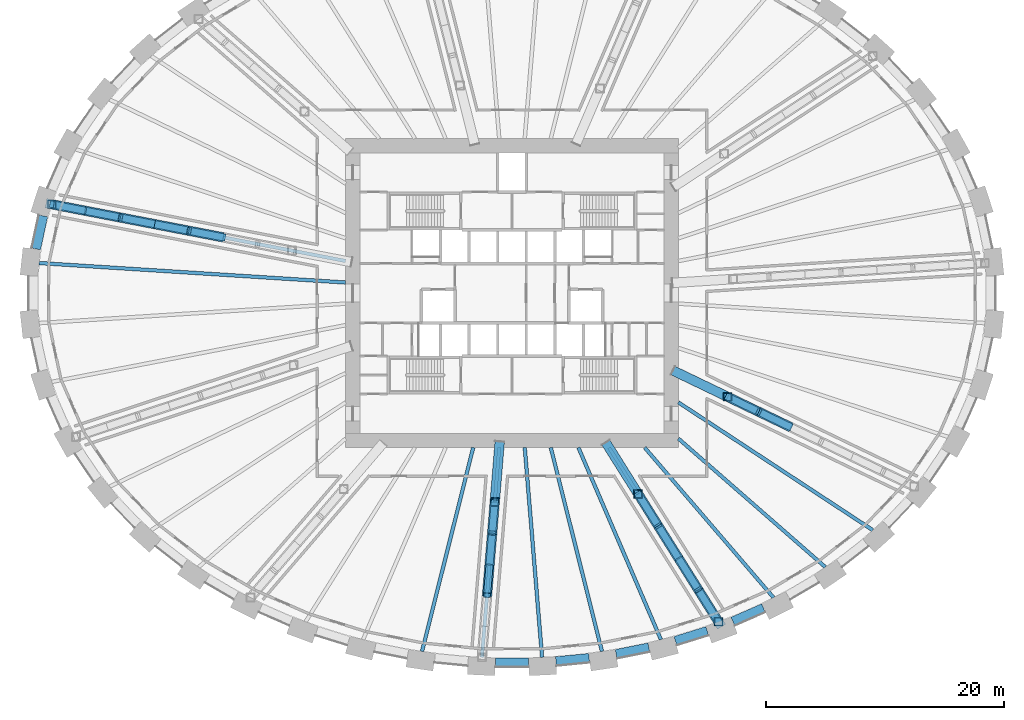
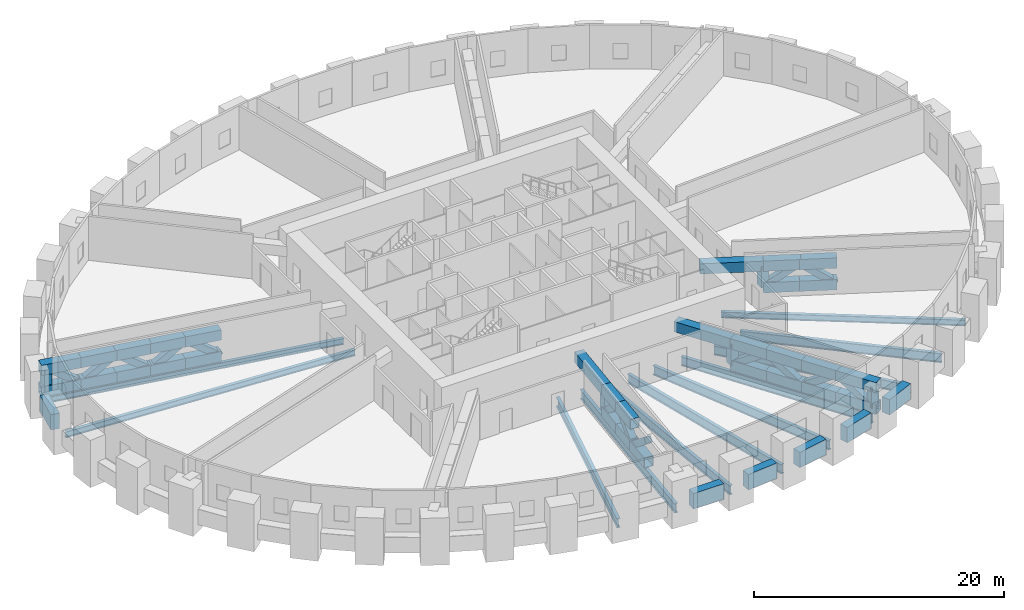
# One storey, part 3 of 14: 49 members, 17 beams.
"""IFC4 building model written with IfcOpenShell, lengths in metres."""

from ifc_helpers import new_model, si_unit, direction, frame, origin, origin_2d, place, context, subcontext, project, spatial, rectangle, hollow_rectangle, i_section, extrude, source, transform, mapped, material, material_profile, profile_set, type_object, element, save


model = new_model("IFC4")

# Units and contexts
model_context = context("Model", 3, precision=1e-05, world=origin(), true_north=direction((0.0, 1.0)))
body_context = subcontext(model_context, "Body", "Model", "MODEL_VIEW")
ifc_project = project(units=[si_unit("LENGTHUNIT", "METRE"), si_unit("AREAUNIT", "SQUARE_METRE"), si_unit("VOLUMEUNIT", "CUBIC_METRE"), si_unit("PLANEANGLEUNIT", "RADIAN"), si_unit("MASSUNIT", "GRAM", prefix="KILO")], contexts=[model_context])

# Site, building, storey
site_placement = place(None, origin())
site = spatial("IfcSite", under=ifc_project, at=site_placement, CompositionType="ELEMENT")
building_placement = place(site_placement, origin())
building = spatial("IfcBuilding", under=site, at=building_placement, Name="Embergate Tower", CompositionType="ELEMENT")
storey_placement = place(building_placement, frame((0.0, 0.0, 101.0)))
storey = spatial("IfcBuildingStorey", under=building, at=storey_placement, Name="L21", CompositionType="ELEMENT", Elevation=101.0)

# Beams
ifc_material_1 = material(Name="Concrete C70", Category="concrete")
ifc_material_profile_1 = material_profile(ifc_material_1, rectangle(XDim=0.75, YDim=1.5, at=origin_2d()), Name="RC 750x1500")
ifc_profile_set_1 = profile_set([ifc_material_profile_1], Name="Concrete C70")
beam_type_1 = type_object("IfcBeamType", Name="Spandrel beam RC 750x1500 C70", PredefinedType="BEAM", material=ifc_profile_set_1)
shared_shape_1 = source(origin(), body_context, "Body", "SweptSolid", [
    extrude(rectangle(XDim=0.75, YDim=1.5, at=origin_2d()), origin(), (0.0, 0.0, 1.0), 2.845703125),
])
beam_1_placement = place(storey_placement, frame((-39.43408203125, 6.492919921875, 0.0), z_axis=(-0.210448858384, -0.977604868035, 0.0), x_axis=(0.977604868035, -0.210448858384, 0.0)))
element("IfcBeam", 1, at=beam_1_placement, inside=storey, type_object=beam_type_1, Name="SPN-L21-20", PredefinedType="BEAM", context=body_context, shape_type="MappedRepresentation", body=[
    mapped(shared_shape_1, transform((0.0, 0.0, 0.0))),
])
shared_shape_2 = source(origin(), body_context, "Body", "SweptSolid", [
    extrude(rectangle(XDim=0.75, YDim=1.5, at=origin_2d()), origin(), (0.0, 0.0, 1.0), 2.81005859375),
])
beam_2_placement = place(storey_placement, frame((18.577880859375, -27.614990234375, 0.0), z_axis=(0.916061598474, 0.401037589013, 0.0), x_axis=(-0.401037589013, 0.916061598474, 0.0)))
element("IfcBeam", 2, at=beam_2_placement, inside=storey, type_object=beam_type_1, Name="SPN-L21-36", PredefinedType="BEAM", context=body_context, shape_type="MappedRepresentation", body=[
    mapped(shared_shape_2, transform((0.0, 0.0, 0.0))),
])
shared_shape_3 = source(origin(), body_context, "Body", "SweptSolid", [
    extrude(rectangle(XDim=0.75, YDim=1.5, at=origin_2d()), origin(), (0.0, 0.0, 1.0), 2.806884765625),
])
beam_3_placement = place(storey_placement, frame((13.742919921875, -29.251953125, 0.0), z_axis=(0.954841423743, 0.297115895746, 0.0), x_axis=(-0.297115895746, 0.954841423743, 0.0)))
element("IfcBeam", 3, at=beam_3_placement, inside=storey, type_object=beam_type_1, Name="SPN-L21-35", PredefinedType="BEAM", context=body_context, shape_type="MappedRepresentation", body=[
    mapped(shared_shape_3, transform((0.0, 0.0, 0.0))),
])
shared_shape_4 = source(origin(), body_context, "Body", "SweptSolid", [
    extrude(rectangle(XDim=0.75, YDim=1.5, at=origin_2d()), origin(), (0.0, 0.0, 1.0), 2.802734375),
])
beam_4_placement = place(storey_placement, frame((8.761962890625, -30.35302734375, 0.0), z_axis=(0.980483396855, 0.19660190358, 0.0), x_axis=(-0.19660190358, 0.980483396855, 0.0)))
element("IfcBeam", 4, at=beam_4_placement, inside=storey, type_object=beam_type_1, Name="SPN-L21-34", PredefinedType="BEAM", context=body_context, shape_type="MappedRepresentation", body=[
    mapped(shared_shape_4, transform((0.0, 0.0, 0.0))),
])
shared_shape_5 = source(origin(), body_context, "Body", "SweptSolid", [
    extrude(rectangle(XDim=0.75, YDim=1.5, at=origin_2d()), origin(), (0.0, 0.0, 1.0), 2.801513671875),
])
beam_5_placement = place(storey_placement, frame((3.698974609375, -30.966064453125, 0.0), z_axis=(0.995199776521, 0.097864216203, 0.0), x_axis=(-0.097864216203, 0.995199776521, 0.0)))
element("IfcBeam", 5, at=beam_5_placement, inside=storey, type_object=beam_type_1, Name="SPN-L21-33", PredefinedType="BEAM", context=body_context, shape_type="MappedRepresentation", body=[
    mapped(shared_shape_5, transform((0.0, 0.0, 0.0))),
])
shared_shape_6 = source(origin(), body_context, "Body", "SweptSolid", [
    extrude(rectangle(XDim=0.75, YDim=1.5, at=origin_2d()), origin(), (0.0, 0.0, 1.0), 2.8017578125),
])
beam_6_placement = place(storey_placement, frame((-1.40087890625, -31.0791015625, 0.0), z_axis=(1.0, 0.0, 0.0), x_axis=(0.0, 1.0, 0.0)))
element("IfcBeam", 6, at=beam_6_placement, inside=storey, type_object=beam_type_1, Name="SPN-L21-32", PredefinedType="BEAM", context=body_context, shape_type="MappedRepresentation", body=[
    mapped(shared_shape_6, transform((0.0, 0.0, 0.0))),
])
ifc_material_2 = material(Name="Steel Q355B", Category="steel")
ifc_material_profile_2 = material_profile(ifc_material_2, i_section(OverallWidth=0.300048828125, OverallDepth=0.587890625, WebThickness=0.011962890625, FlangeThickness=0.02001953125, FilletRadius=0.012939453125, at=origin_2d()), Name="HM 588x300x12x20")
ifc_profile_set_2 = profile_set([ifc_material_profile_2], Name="Steel Q355 grade B")
beam_type_2 = type_object("IfcBeamType", Name="Plant girder HM 588x300x12x20", PredefinedType="BEAM", material=ifc_profile_set_2)
shared_shape_7 = source(origin(), body_context, "Body", "SweptSolid", [
    extrude(i_section(OverallWidth=0.300048828125, OverallDepth=0.587890625, WebThickness=0.011962890625, FlangeThickness=0.02001953125, FilletRadius=0.012939453125, at=origin_2d()), origin(), (0.0, 0.0, 1.0), 25.8330078125),
])
beam_7_placement = place(storey_placement, frame((-39.781005859375, 2.527099609375, -0.593994140625), z_axis=(0.997987282957, -0.063414375786, 0.0), x_axis=(0.063414375786, 0.997987282957, 0.0)))
element("IfcBeam", 7, at=beam_7_placement, inside=storey, type_object=beam_type_2, Name="GIR-L21-21", PredefinedType="BEAM", context=body_context, shape_type="MappedRepresentation", body=[
    mapped(shared_shape_7, transform((0.0, 0.0, 0.0))),
])
shared_shape_8 = source(origin(), body_context, "Body", "SweptSolid", [
    extrude(i_section(OverallWidth=0.300048828125, OverallDepth=0.587890625, WebThickness=0.011962890625, FlangeThickness=0.02001953125, FilletRadius=0.012939453125, at=origin_2d()), origin(), (0.0, 0.0, 1.0), 25.173583984375),
])
beam_8_placement = place(storey_placement, frame((-38.718017578125, 7.468994140625, -0.593994140625), z_axis=(0.981898721565, -0.189406706822, 0.0), x_axis=(0.189406706822, 0.981898721565, 0.0)))
element("IfcBeam", 8, at=beam_8_placement, inside=storey, type_object=beam_type_2, Name="GIR-L21-20", PredefinedType="BEAM", context=body_context, shape_type="MappedRepresentation", body=[
    mapped(shared_shape_8, transform((0.0, 0.0, 0.0))),
])
shared_shape_9 = source(origin(), body_context, "Body", "SweptSolid", [
    extrude(i_section(OverallWidth=0.300048828125, OverallDepth=0.587890625, WebThickness=0.011962890625, FlangeThickness=0.02001953125, FilletRadius=0.012939453125, at=origin_2d()), origin(), (0.0, 0.0, 1.0), 19.56591796875),
])
beam_9_placement = place(storey_placement, frame((30.35205078125, -19.943115234375, -0.593994140625), z_axis=(-0.835740492774, 0.549124602197, 0.0), x_axis=(-0.549124602197, -0.835740492774, 0.0)))
element("IfcBeam", 9, at=beam_9_placement, inside=storey, type_object=beam_type_2, Name="GIR-L21-39", PredefinedType="BEAM", context=body_context, shape_type="MappedRepresentation", body=[
    mapped(shared_shape_9, transform((0.0, 0.0, 0.0))),
])
ifc_material_profile_3 = material_profile(ifc_material_2, i_section(OverallWidth=0.300048828125, OverallDepth=0.89990234375, WebThickness=0.01611328125, FlangeThickness=0.028076171875, FilletRadius=0.028076171875, at=origin_2d()), Name="HN 900x300x16x28")
ifc_profile_set_3 = profile_set([ifc_material_profile_3], Name="Steel Q355 grade B")
beam_type_3 = type_object("IfcBeamType", Name="Plant girder HN 900x300x16x28", PredefinedType="BEAM", material=ifc_profile_set_3)
shared_shape_10 = source(origin(), body_context, "Body", "SweptSolid", [
    extrude(i_section(OverallWidth=0.300048828125, OverallDepth=0.89990234375, WebThickness=0.01611328125, FlangeThickness=0.028076171875, FilletRadius=0.028076171875, at=origin_2d()), origin(), (0.0, 0.0, 1.0), 16.42529296875),
])
beam_10_placement = place(storey_placement, frame((26.364013671875, -23.055908203125, -0.75), z_axis=(-0.752743328411, 0.658314120714, 0.0), x_axis=(-0.658314120714, -0.752743328411, 0.0)))
element("IfcBeam", 10, at=beam_10_placement, inside=storey, type_object=beam_type_3, Name="GIR-L21-38", PredefinedType="BEAM", context=body_context, shape_type="MappedRepresentation", body=[
    mapped(shared_shape_10, transform((0.0, 0.0, 0.0))),
])
shared_shape_11 = source(origin(), body_context, "Body", "SweptSolid", [
    extrude(i_section(OverallWidth=0.300048828125, OverallDepth=0.89990234375, WebThickness=0.01611328125, FlangeThickness=0.028076171875, FilletRadius=0.028076171875, at=origin_2d()), origin(), (0.0, 0.0, 1.0), 16.634521484375),
])
beam_11_placement = place(storey_placement, frame((22.0009765625, -25.6201171875, -0.75), z_axis=(-0.6514728043, 0.758671987922, 0.0), x_axis=(-0.758671987922, -0.6514728043, 0.0)))
element("IfcBeam", 11, at=beam_11_placement, inside=storey, type_object=beam_type_3, Name="GIR-L21-37", PredefinedType="BEAM", context=body_context, shape_type="MappedRepresentation", body=[
    mapped(shared_shape_11, transform((0.0, 0.0, 0.0))),
])
shared_shape_12 = source(origin(), body_context, "Body", "SweptSolid", [
    extrude(i_section(OverallWidth=0.300048828125, OverallDepth=0.89990234375, WebThickness=0.01611328125, FlangeThickness=0.028076171875, FilletRadius=0.028076171875, at=origin_2d()), origin(), (0.0, 0.0, 1.0), 17.29833984375),
])
beam_12_placement = place(storey_placement, frame((17.364013671875, -27.64892578125, -0.75), z_axis=(-0.53184228431, 0.84684342391, 0.0), x_axis=(-0.84684342391, -0.53184228431, 0.0)))
element("IfcBeam", 12, at=beam_12_placement, inside=storey, type_object=beam_type_3, Name="GIR-L21-36", PredefinedType="BEAM", context=body_context, shape_type="MappedRepresentation", body=[
    mapped(shared_shape_12, transform((0.0, 0.0, 0.0))),
])
shared_shape_13 = source(origin(), body_context, "Body", "SweptSolid", [
    extrude(i_section(OverallWidth=0.300048828125, OverallDepth=0.89990234375, WebThickness=0.01611328125, FlangeThickness=0.028076171875, FilletRadius=0.028076171875, at=origin_2d()), origin(), (0.0, 0.0, 1.0), 17.58203125),
])
beam_13_placement = place(storey_placement, frame((12.531005859375, -29.153076171875, -0.75), z_axis=(-0.394897783559, 0.918725062541, 0.0), x_axis=(-0.918725062541, -0.394897783559, 0.0)))
element("IfcBeam", 13, at=beam_13_placement, inside=storey, type_object=beam_type_3, Name="GIR-L21-35", PredefinedType="BEAM", context=body_context, shape_type="MappedRepresentation", body=[
    mapped(shared_shape_13, transform((0.0, 0.0, 0.0))),
])
shared_shape_14 = source(origin(), body_context, "Body", "SweptSolid", [
    extrude(i_section(OverallWidth=0.300048828125, OverallDepth=0.89990234375, WebThickness=0.01611328125, FlangeThickness=0.028076171875, FilletRadius=0.028076171875, at=origin_2d()), origin(), (0.0, 0.0, 1.0), 17.68115234375),
])
for number, where, z_axis, x_axis, name in (
    (14, (-7.569091796875, -30.14892578125, -0.75), (0.243490697854, 0.969903232317, 0.0), (-0.969903232317, 0.243490697854, 0.0), "GIR-L21-31"),
    (15, (7.569091796875, -30.14892578125, -0.75), (-0.243490697854, 0.969903232317, 0.0), (-0.969903232317, -0.243490697854, 0.0), "GIR-L21-34"),
):
    element("IfcBeam", number, at=place(storey_placement, frame(where, z_axis=z_axis, x_axis=x_axis)), inside=storey, type_object=beam_type_3, Name=name, PredefinedType="BEAM", context=body_context, shape_type="MappedRepresentation", body=[
        mapped(shared_shape_14, transform((0.0, 0.0, 0.0))),
    ])
shared_shape_15 = source(origin(), body_context, "Body", "SweptSolid", [
    extrude(i_section(OverallWidth=0.300048828125, OverallDepth=0.89990234375, WebThickness=0.01611328125, FlangeThickness=0.028076171875, FilletRadius=0.028076171875, at=origin_2d()), origin(), (0.0, 0.0, 1.0), 17.7041015625),
])
for number, where, z_axis, x_axis, name in (
    (16, (-2.531005859375, -30.64404296875, -0.75), (0.082299081422, 0.99660767667, 0.0), (-0.99660767667, 0.082299081422, 0.0), "GIR-L21-32"),
    (17, (2.531005859375, -30.64404296875, -0.75), (-0.082299081422, 0.99660767667, 0.0), (-0.99660767667, -0.082299081422, 0.0), "GIR-L21-33"),
):
    element("IfcBeam", number, at=place(storey_placement, frame(where, z_axis=z_axis, x_axis=x_axis)), inside=storey, type_object=beam_type_3, Name=name, PredefinedType="BEAM", context=body_context, shape_type="MappedRepresentation", body=[
        mapped(shared_shape_15, transform((0.0, 0.0, 0.0))),
    ])

# Members
ifc_material_profile_4 = material_profile(ifc_material_2, hollow_rectangle(XDim=0.699951171875, YDim=0.699951171875, WallThickness=0.031982421875, at=origin_2d()), Name="BOX 700x700x32")
ifc_profile_set_4 = profile_set([ifc_material_profile_4], Name="Steel Q355 grade B")
member_type_1 = type_object("IfcMemberType", Name="Outrigger post BOX 700x700x32", PredefinedType="POST", material=ifc_profile_set_4)
shared_shape_16 = source(origin(), body_context, "Body", "SweptSolid", [
    extrude(hollow_rectangle(XDim=0.699951171875, YDim=0.699951171875, WallThickness=0.031982421875, at=origin_2d()), origin(), (0.0, 0.0, 1.0), 2.110107421875),
])
for number, where, z_axis, x_axis, name in (
    (18, (-38.718017578125, 7.468994140625, 0.5), (0.0, 0.0, 1.0), (1.0, 0.0, 0.0), "OUT-L21-20-PO07"),
    (19, (-1.452880859375, -17.583984375, 0.5), (0.0, 0.0, 1.0), (1.0, 0.0, 0.0), "OUT-L21-32-PO00"),
    (20, (10.610107421875, -16.89501953125, 0.5), (0.0, 0.0, 1.0), (1.0, 0.0, 0.0), "OUT-L21-36-PO00"),
    (21, (17.364013671875, -27.64892578125, 0.5), (0.0, 0.0, 1.0), (1.0, 0.0, 0.0), "OUT-L21-36-PO04"),
    (22, (18.14501953125, -8.72900390625, 0.5), (0.0, 0.0, 1.0), (1.0, 0.0, 0.0), "OUT-L21-40-PO00"),
):
    element("IfcMember", number, at=place(storey_placement, frame(where, z_axis=z_axis, x_axis=x_axis)), inside=storey, type_object=member_type_1, Name=name, PredefinedType="POST", context=body_context, shape_type="MappedRepresentation", body=[
        mapped(shared_shape_16, transform((0.0, 0.0, 0.0))),
    ])
ifc_material_profile_5 = material_profile(ifc_material_2, hollow_rectangle(XDim=0.800048828125, YDim=1.0, WallThickness=0.044921875, at=origin_2d()), Name="BOX 1000x800x45")
ifc_profile_set_5 = profile_set([ifc_material_profile_5], Name="Steel Q355 grade B")
member_type_2 = type_object("IfcMemberType", Name="Outrigger chord BOX 1000x800x45", PredefinedType="CHORD", material=ifc_profile_set_5)
shared_shape_17 = source(origin(), body_context, "Body", "SweptSolid", [
    extrude(hollow_rectangle(XDim=0.800048828125, YDim=1.0, WallThickness=0.044921875, at=origin_2d()), origin(), (0.0, 0.0, 1.0), 5.199951171875),
])
for number, where, z_axis, x_axis, name in (
    (23, (7.89794921875, -12.576904296875, 2.610107421875), (0.531959986064, -0.846769492381, 0.0), (0.846769492381, 0.531959986064, 0.0), "OUT-L21-36-TC00"),
    (24, (13.549072265625, -6.51806640625, 2.610107421875), (0.901176956459, -0.433451373452, 0.0), (0.433451373452, 0.901176956459, 0.0), "OUT-L21-40-TC00"),
):
    element("IfcMember", number, at=place(storey_placement, frame(where, z_axis=z_axis, x_axis=x_axis)), inside=storey, type_object=member_type_2, Name=name, PredefinedType="CHORD", context=body_context, shape_type="MappedRepresentation", body=[
        mapped(shared_shape_17, transform((0.0, 0.0, 0.0))),
    ])
shared_shape_18 = source(origin(), body_context, "Body", "SweptSolid", [
    extrude(hollow_rectangle(XDim=0.800048828125, YDim=1.0, WallThickness=0.044921875, at=origin_2d()), origin(), (0.0, 0.0, 1.0), 5.19970703125),
])
member_1_placement = place(storey_placement, frame((-1.032958984375, -12.501953125, 2.610107421875), z_axis=(-0.082307174483, -0.996607008318, 0.0), x_axis=(0.996607008318, -0.082307174483, 0.0)))
element("IfcMember", 25, at=member_1_placement, inside=storey, type_object=member_type_2, Name="OUT-L21-32-TC00", PredefinedType="CHORD", context=body_context, shape_type="MappedRepresentation", body=[
    mapped(shared_shape_18, transform((0.0, 0.0, 0.0))),
])
shared_shape_19 = source(origin(), body_context, "Body", "SweptSolid", [
    extrude(hollow_rectangle(XDim=0.800048828125, YDim=1.0, WallThickness=0.044921875, at=origin_2d()), origin(), (0.0, 0.0, 1.0), 3.0390625),
])
for number, where, z_axis, x_axis, name in (
    (26, (-30.06005859375, 5.799072265625, 2.610107421875), (-0.981877864444, 0.189514799724, 0.0), (-0.189514799724, -0.981877864444, 0.0), "OUT-L21-20-TC05"),
    (27, (-30.06005859375, 5.799072265625, 0.5), (-0.981877864444, 0.189514799724, 0.0), (-0.189514799724, -0.981877864444, 0.0), "OUT-L21-20-BC04"),
):
    element("IfcMember", number, at=place(storey_placement, frame(where, z_axis=z_axis, x_axis=x_axis)), inside=storey, type_object=member_type_2, Name=name, PredefinedType="CHORD", context=body_context, shape_type="MappedRepresentation", body=[
        mapped(shared_shape_19, transform((0.0, 0.0, 0.0))),
    ])
shared_shape_20 = source(origin(), body_context, "Body", "SweptSolid", [
    extrude(hollow_rectangle(XDim=0.800048828125, YDim=1.0, WallThickness=0.044921875, at=origin_2d()), origin(), (0.0, 0.0, 1.0), 3.038818359375),
])
for number, where, z_axis, x_axis, name in (
    (28, (-24.2890625, 4.68603515625, 2.610107421875), (-0.981937615704, 0.189204965225, 0.0), (-0.189204965225, -0.981937615704, 0.0), "OUT-L21-20-TC03"),
    (29, (-32.946044921875, 6.35595703125, 2.610107421875), (-0.981937615704, 0.189204965225, 0.0), (-0.189204965225, -0.981937615704, 0.0), "OUT-L21-20-TC06"),
    (30, (-24.2890625, 4.68603515625, 0.5), (-0.981937615704, 0.189204965225, 0.0), (-0.189204965225, -0.981937615704, 0.0), "OUT-L21-20-BC02"),
    (31, (-32.946044921875, 6.35595703125, 0.5), (-0.981937615704, 0.189204965225, 0.0), (-0.189204965225, -0.981937615704, 0.0), "OUT-L21-20-BC05"),
):
    element("IfcMember", number, at=place(storey_placement, frame(where, z_axis=z_axis, x_axis=x_axis)), inside=storey, type_object=member_type_2, Name=name, PredefinedType="CHORD", context=body_context, shape_type="MappedRepresentation", body=[
        mapped(shared_shape_20, transform((0.0, 0.0, 0.0))),
    ])
shared_shape_21 = source(origin(), body_context, "Body", "SweptSolid", [
    extrude(hollow_rectangle(XDim=0.800048828125, YDim=1.0, WallThickness=0.044921875, at=origin_2d()), origin(), (0.0, 0.0, 1.0), 3.0400390625),
])
for number, where, z_axis, x_axis, name in (
    (32, (-27.174072265625, 5.241943359375, 2.610107421875), (-0.981874457765, 0.189532448906, 0.0), (-0.189532448906, -0.981874457765, 0.0), "OUT-L21-20-TC04"),
    (33, (-27.174072265625, 5.241943359375, 0.5), (-0.981874457765, 0.189532448906, 0.0), (-0.189532448906, -0.981874457765, 0.0), "OUT-L21-20-BC03"),
):
    element("IfcMember", number, at=place(storey_placement, frame(where, z_axis=z_axis, x_axis=x_axis)), inside=storey, type_object=member_type_2, Name=name, PredefinedType="CHORD", context=body_context, shape_type="MappedRepresentation", body=[
        mapped(shared_shape_21, transform((0.0, 0.0, 0.0))),
    ])
shared_shape_22 = source(origin(), body_context, "Body", "SweptSolid", [
    extrude(hollow_rectangle(XDim=0.800048828125, YDim=1.0, WallThickness=0.044921875, at=origin_2d()), origin(), (0.0, 0.0, 1.0), 3.439208984375),
])
for number, where, z_axis, x_axis, name in (
    (34, (-35.83203125, 6.912109375, 2.610107421875), (-0.981874565815, 0.18953188915, 0.0), (-0.18953188915, -0.981874565815, 0.0), "OUT-L21-20-TC07"),
    (35, (-35.83203125, 6.912109375, 0.5), (-0.981874565815, 0.18953188915, 0.0), (-0.18953188915, -0.981874565815, 0.0), "OUT-L21-20-BC06"),
):
    element("IfcMember", number, at=place(storey_placement, frame(where, z_axis=z_axis, x_axis=x_axis)), inside=storey, type_object=member_type_2, Name=name, PredefinedType="CHORD", context=body_context, shape_type="MappedRepresentation", body=[
        mapped(shared_shape_22, transform((0.0, 0.0, 0.0))),
    ])
ifc_material_profile_6 = material_profile(ifc_material_2, hollow_rectangle(XDim=0.60009765625, YDim=0.60009765625, WallThickness=0.028076171875, at=origin_2d()), Name="BOX 600x600x28")
ifc_profile_set_6 = profile_set([ifc_material_profile_6], Name="Steel Q355 grade B")
member_type_3 = type_object("IfcMemberType", Name="Outrigger diagonal BOX 600x600x28", PredefinedType="BRACE", material=ifc_profile_set_6)
shared_shape_23 = source(origin(), body_context, "Body", "SweptSolid", [
    extrude(hollow_rectangle(XDim=0.60009765625, YDim=0.60009765625, WallThickness=0.028076171875, at=origin_2d()), origin(), (0.0, 0.0, 1.0), 3.6181640625),
])
for number, where, z_axis, x_axis, name in (
    (36, (-27.174072265625, 5.241943359375, 2.610107421875), (-0.797615422459, 0.153976685056, -0.583181634068), (-0.189546675053, -0.981871711568, 0.0), "OUT-L21-20-DG03"),
    (37, (-30.06005859375, 5.799072265625, 0.5), (-0.797623707591, 0.153910809324, 0.583187691795), (-0.18946659575, -0.981887167191, 0.0), "OUT-L21-20-DG04"),
    (38, (-32.946044921875, 6.35595703125, 2.610107421875), (-0.797648542746, 0.153713169814, -0.583205850178), (-0.189226335163, -0.981933497789, 0.0), "OUT-L21-20-DG05"),
    (39, (-35.83203125, 6.912109375, 0.5), (-0.797623707591, 0.153910809324, 0.583187691795), (-0.18946659575, -0.981887167191, 0.0), "OUT-L21-20-DG06"),
):
    element("IfcMember", number, at=place(storey_placement, frame(where, z_axis=z_axis, x_axis=x_axis)), inside=storey, type_object=member_type_3, Name=name, PredefinedType="BRACE", context=body_context, shape_type="MappedRepresentation", body=[
        mapped(shared_shape_23, transform((0.0, 0.0, 0.0))),
    ])
shared_shape_24 = source(origin(), body_context, "Body", "SweptSolid", [
    extrude(hollow_rectangle(XDim=0.60009765625, YDim=0.60009765625, WallThickness=0.028076171875, at=origin_2d()), origin(), (0.0, 0.0, 1.0), 3.6171875),
])
member_2_placement = place(storey_placement, frame((-24.2890625, 4.68603515625, 0.5), z_axis=(-0.79755860398, 0.153680370759, 0.583337481104), x_axis=(-0.189207974172, -0.981937035919, 0.0)))
element("IfcMember", 40, at=member_2_placement, inside=storey, type_object=member_type_3, Name="OUT-L21-20-DG02", PredefinedType="BRACE", context=body_context, shape_type="MappedRepresentation", body=[
    mapped(shared_shape_24, transform((0.0, 0.0, 0.0))),
])
shared_shape_25 = source(origin(), body_context, "Body", "SweptSolid", [
    extrude(hollow_rectangle(XDim=0.800048828125, YDim=1.0, WallThickness=0.044921875, at=origin_2d()), origin(), (0.0, 0.0, 1.0), 2.72119140625),
])
for number, where, z_axis, x_axis, name in (
    (41, (-1.452880859375, -17.583984375, 2.610107421875), (-0.082005897153, -0.996631844179, 0.0), (0.996631844179, -0.082005897153, 0.0), "OUT-L21-32-TC01"),
    (42, (-1.66796875, -20.196044921875, 2.610107421875), (-0.082362355837, -0.996602449496, 0.0), (0.996602449496, -0.082362355837, 0.0), "OUT-L21-32-TC02"),
    (43, (-1.452880859375, -17.583984375, 0.5), (-0.082005897153, -0.996631844179, 0.0), (0.996631844179, -0.082005897153, 0.0), "OUT-L21-32-BC00"),
    (44, (-1.66796875, -20.196044921875, 0.5), (-0.082362355837, -0.996602449496, 0.0), (0.996602449496, -0.082362355837, 0.0), "OUT-L21-32-BC01"),
    (45, (-1.884033203125, -22.80810546875, 0.5), (-0.082273244124, -0.996609809956, 0.0), (0.996609809956, -0.082273244124, 0.0), "OUT-L21-32-BC02"),
):
    element("IfcMember", number, at=place(storey_placement, frame(where, z_axis=z_axis, x_axis=x_axis)), inside=storey, type_object=member_type_2, Name=name, PredefinedType="CHORD", context=body_context, shape_type="MappedRepresentation", body=[
        mapped(shared_shape_25, transform((0.0, 0.0, 0.0))),
    ])
shared_shape_26 = source(origin(), body_context, "Body", "SweptSolid", [
    extrude(hollow_rectangle(XDim=0.60009765625, YDim=0.60009765625, WallThickness=0.028076171875, at=origin_2d()), origin(), (0.0, 0.0, 1.0), 3.36474609375),
])
for number, where, z_axis, x_axis, name in (
    (46, (-1.452880859375, -17.583984375, 0.5), (-0.063923506648, -0.776296932602, 0.627117897792), (0.996626865092, -0.082066386405, 0.0), "OUT-L21-32-DG00"),
    (47, (-1.66796875, -20.196044921875, 2.610107421875), (-0.064212544228, -0.776282497966, -0.627106237024), (0.996596322061, -0.08243646556, 0.0), "OUT-L21-32-DG01"),
    (48, (-1.884033203125, -22.80810546875, 0.5), (-0.064216161097, -0.776253662612, 0.627141559726), (0.996595688957, -0.082444118969, 0.0), "OUT-L21-32-DG02"),
):
    element("IfcMember", number, at=place(storey_placement, frame(where, z_axis=z_axis, x_axis=x_axis)), inside=storey, type_object=member_type_3, Name=name, PredefinedType="BRACE", context=body_context, shape_type="MappedRepresentation", body=[
        mapped(shared_shape_26, transform((0.0, 0.0, 0.0))),
    ])
shared_shape_27 = source(origin(), body_context, "Body", "SweptSolid", [
    extrude(hollow_rectangle(XDim=0.800048828125, YDim=1.0, WallThickness=0.044921875, at=origin_2d()), origin(), (0.0, 0.0, 1.0), 3.275634765625),
])
for number, where, z_axis, x_axis, name in (
    (49, (10.610107421875, -16.89501953125, 2.610107421875), (0.531806671571, -0.846865788701, 0.0), (0.846865788701, 0.531806671571, 0.0), "OUT-L21-36-TC01"),
    (50, (10.610107421875, -16.89501953125, 0.5), (0.531806671571, -0.846865788701, 0.0), (0.846865788701, 0.531806671571, 0.0), "OUT-L21-36-BC00"),
):
    element("IfcMember", number, at=place(storey_placement, frame(where, z_axis=z_axis, x_axis=x_axis)), inside=storey, type_object=member_type_2, Name=name, PredefinedType="CHORD", context=body_context, shape_type="MappedRepresentation", body=[
        mapped(shared_shape_27, transform((0.0, 0.0, 0.0))),
    ])
shared_shape_28 = source(origin(), body_context, "Body", "SweptSolid", [
    extrude(hollow_rectangle(XDim=0.800048828125, YDim=1.0, WallThickness=0.044921875, at=origin_2d()), origin(), (0.0, 0.0, 1.0), 3.274169921875),
])
for number, where, z_axis, x_axis, name in (
    (51, (12.299072265625, -19.583984375, 2.610107421875), (0.531727089031, -0.846915758969, 0.0), (0.846915758969, 0.531727089031, 0.0), "OUT-L21-36-TC02"),
    (52, (12.299072265625, -19.583984375, 0.5), (0.531727089031, -0.846915758969, 0.0), (0.846915758969, 0.531727089031, 0.0), "OUT-L21-36-BC01"),
):
    element("IfcMember", number, at=place(storey_placement, frame(where, z_axis=z_axis, x_axis=x_axis)), inside=storey, type_object=member_type_2, Name=name, PredefinedType="CHORD", context=body_context, shape_type="MappedRepresentation", body=[
        mapped(shared_shape_28, transform((0.0, 0.0, 0.0))),
    ])
shared_shape_29 = source(origin(), body_context, "Body", "SweptSolid", [
    extrude(hollow_rectangle(XDim=0.800048828125, YDim=1.0, WallThickness=0.044921875, at=origin_2d()), origin(), (0.0, 0.0, 1.0), 3.274658203125),
])
for number, where, z_axis, x_axis, name in (
    (53, (13.987060546875, -22.27197265625, 2.610107421875), (0.531940971628, -0.846781437387, 0.0), (0.846781437387, 0.531940971628, 0.0), "OUT-L21-36-TC03"),
    (54, (13.987060546875, -22.27197265625, 0.5), (0.531940971628, -0.846781437387, 0.0), (0.846781437387, 0.531940971628, 0.0), "OUT-L21-36-BC02"),
):
    element("IfcMember", number, at=place(storey_placement, frame(where, z_axis=z_axis, x_axis=x_axis)), inside=storey, type_object=member_type_2, Name=name, PredefinedType="CHORD", context=body_context, shape_type="MappedRepresentation", body=[
        mapped(shared_shape_29, transform((0.0, 0.0, 0.0))),
    ])
shared_shape_30 = source(origin(), body_context, "Body", "SweptSolid", [
    extrude(hollow_rectangle(XDim=0.800048828125, YDim=1.0, WallThickness=0.044921875, at=origin_2d()), origin(), (0.0, 0.0, 1.0), 3.673828125),
])
for number, where, z_axis, x_axis, name in (
    (55, (15.676025390625, -24.9609375, 2.610107421875), (0.531843505112, -0.84684265721, 0.0), (0.84684265721, 0.531843505112, 0.0), "OUT-L21-36-TC04"),
    (56, (15.676025390625, -24.9609375, 0.5), (0.531843505112, -0.84684265721, 0.0), (0.84684265721, 0.531843505112, 0.0), "OUT-L21-36-BC03"),
):
    element("IfcMember", number, at=place(storey_placement, frame(where, z_axis=z_axis, x_axis=x_axis)), inside=storey, type_object=member_type_2, Name=name, PredefinedType="CHORD", context=body_context, shape_type="MappedRepresentation", body=[
        mapped(shared_shape_30, transform((0.0, 0.0, 0.0))),
    ])
shared_shape_31 = source(origin(), body_context, "Body", "SweptSolid", [
    extrude(hollow_rectangle(XDim=0.60009765625, YDim=0.60009765625, WallThickness=0.028076171875, at=origin_2d()), origin(), (0.0, 0.0, 1.0), 3.8125),
])
for number, where, z_axis, x_axis, name in (
    (57, (10.610107421875, -16.89501953125, 0.5), (0.442999076454, -0.705289365144, 0.55346068485), (0.846812677258, 0.531891238539, 0.0), "OUT-L21-36-DG00"),
    (58, (13.987060546875, -22.27197265625, 0.5), (0.442999076454, -0.705289365144, 0.55346068485), (0.846812677258, 0.531891238539, 0.0), "OUT-L21-36-DG02"),
):
    element("IfcMember", number, at=place(storey_placement, frame(where, z_axis=z_axis, x_axis=x_axis)), inside=storey, type_object=member_type_3, Name=name, PredefinedType="BRACE", context=body_context, shape_type="MappedRepresentation", body=[
        mapped(shared_shape_31, transform((0.0, 0.0, 0.0))),
    ])
shared_shape_32 = source(origin(), body_context, "Body", "SweptSolid", [
    extrude(hollow_rectangle(XDim=0.60009765625, YDim=0.60009765625, WallThickness=0.028076171875, at=origin_2d()), origin(), (0.0, 0.0, 1.0), 3.8115234375),
])
for number, where, z_axis, x_axis, name in (
    (59, (12.299072265625, -19.583984375, 2.610107421875), (0.442873184159, -0.705240636041, -0.553623507475), (0.846864209379, 0.531809186526, 0.0), "OUT-L21-36-DG01"),
    (60, (15.676025390625, -24.9609375, 2.610107421875), (0.442873184159, -0.705240636041, -0.553623507475), (0.846864209379, 0.531809186526, 0.0), "OUT-L21-36-DG03"),
):
    element("IfcMember", number, at=place(storey_placement, frame(where, z_axis=z_axis, x_axis=x_axis)), inside=storey, type_object=member_type_3, Name=name, PredefinedType="BRACE", context=body_context, shape_type="MappedRepresentation", body=[
        mapped(shared_shape_32, transform((0.0, 0.0, 0.0))),
    ])
shared_shape_33 = source(origin(), body_context, "Body", "SweptSolid", [
    extrude(hollow_rectangle(XDim=0.800048828125, YDim=1.0, WallThickness=0.044921875, at=origin_2d()), origin(), (0.0, 0.0, 1.0), 3.00390625),
])
for number, where, z_axis, x_axis, name in (
    (61, (18.14501953125, -8.72900390625, 2.610107421875), (0.901181610855, -0.433441696491, 0.0), (0.433441696491, 0.901181610855, 0.0), "OUT-L21-40-TC01"),
    (62, (18.14501953125, -8.72900390625, 0.5), (0.901181610855, -0.433441696491, 0.0), (0.433441696491, 0.901181610855, 0.0), "OUT-L21-40-BC00"),
):
    element("IfcMember", number, at=place(storey_placement, frame(where, z_axis=z_axis, x_axis=x_axis)), inside=storey, type_object=member_type_2, Name=name, PredefinedType="CHORD", context=body_context, shape_type="MappedRepresentation", body=[
        mapped(shared_shape_33, transform((0.0, 0.0, 0.0))),
    ])
shared_shape_34 = source(origin(), body_context, "Body", "SweptSolid", [
    extrude(hollow_rectangle(XDim=0.800048828125, YDim=1.0, WallThickness=0.044921875, at=origin_2d()), origin(), (0.0, 0.0, 1.0), 3.0029296875),
])
for number, where, z_axis, x_axis, name in (
    (63, (20.761962890625, -9.988037109375, 2.610107421875), (0.901120506614, -0.433568717229, 0.0), (0.433568717229, 0.901120506614, 0.0), "OUT-L21-40-TC02"),
    (64, (20.761962890625, -9.988037109375, 0.5), (0.901120506614, -0.433568717229, 0.0), (0.433568717229, 0.901120506614, 0.0), "OUT-L21-40-BC01"),
):
    element("IfcMember", number, at=place(storey_placement, frame(where, z_axis=z_axis, x_axis=x_axis)), inside=storey, type_object=member_type_2, Name=name, PredefinedType="CHORD", context=body_context, shape_type="MappedRepresentation", body=[
        mapped(shared_shape_34, transform((0.0, 0.0, 0.0))),
    ])
shared_shape_35 = source(origin(), body_context, "Body", "SweptSolid", [
    extrude(hollow_rectangle(XDim=0.60009765625, YDim=0.60009765625, WallThickness=0.028076171875, at=origin_2d()), origin(), (0.0, 0.0, 1.0), 3.58984375),
])
member_3_placement = place(storey_placement, frame((18.14501953125, -8.72900390625, 0.5), z_axis=(0.729009852213, -0.350732699679, 0.587819027211), x_axis=(0.433542609426, 0.901133067761, 0.0)))
element("IfcMember", 65, at=member_3_placement, inside=storey, type_object=member_type_3, Name="OUT-L21-40-DG00", PredefinedType="BRACE", context=body_context, shape_type="MappedRepresentation", body=[
    mapped(shared_shape_35, transform((0.0, 0.0, 0.0))),
])
shared_shape_36 = source(origin(), body_context, "Body", "SweptSolid", [
    extrude(hollow_rectangle(XDim=0.60009765625, YDim=0.60009765625, WallThickness=0.028076171875, at=origin_2d()), origin(), (0.0, 0.0, 1.0), 3.588623046875),
])
member_4_placement = place(storey_placement, frame((20.761962890625, -9.988037109375, 2.610107421875), z_axis=(0.728951906208, -0.350563618543, -0.587991724252), x_axis=(0.433400847174, 0.901201257028, 0.0)))
element("IfcMember", 66, at=member_4_placement, inside=storey, type_object=member_type_3, Name="OUT-L21-40-DG01", PredefinedType="BRACE", context=body_context, shape_type="MappedRepresentation", body=[
    mapped(shared_shape_36, transform((0.0, 0.0, 0.0))),
])

save(model, "model.ifc")
